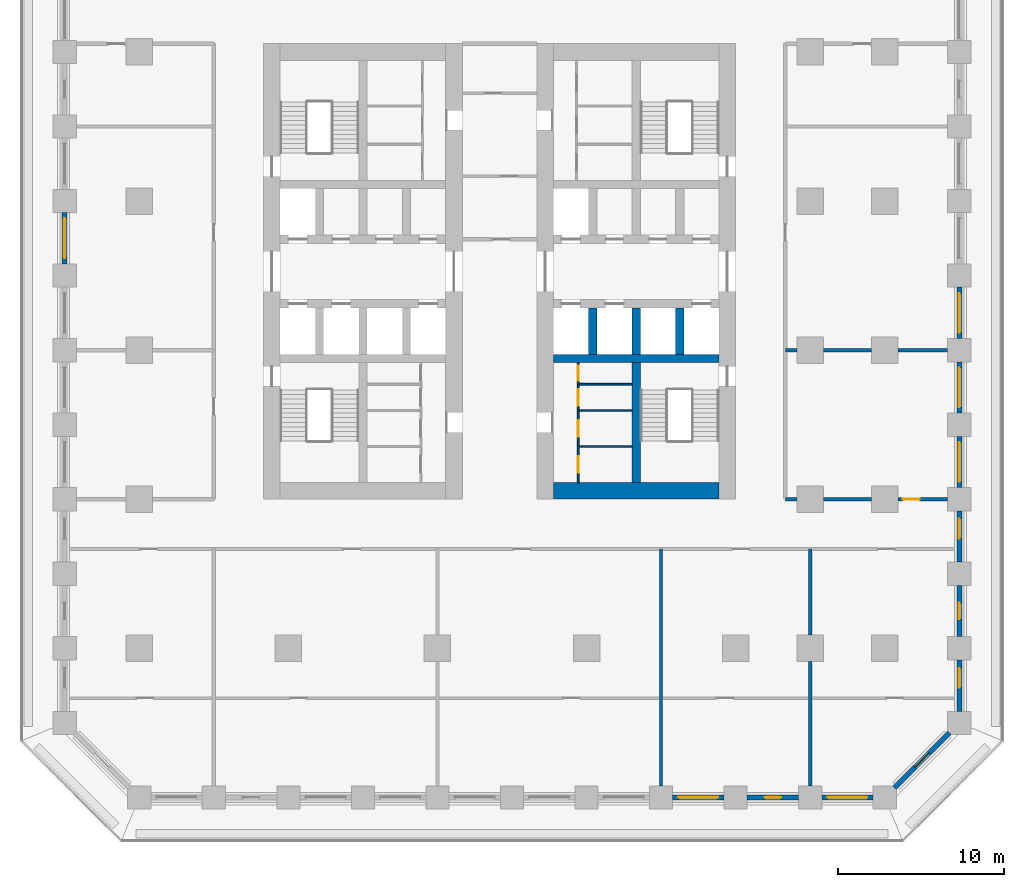
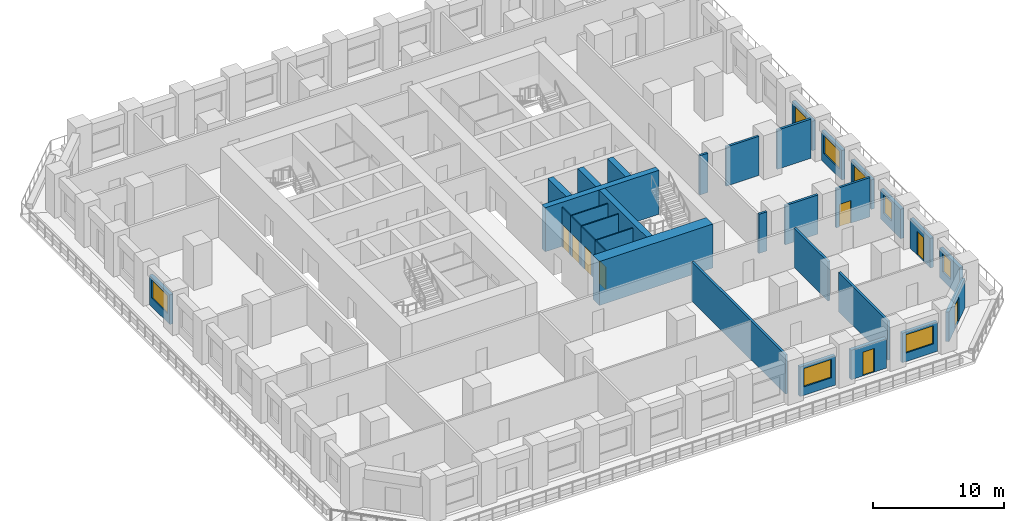
# One storey, part 4 of 11: 33 walls, 8 doors, 8 windows, 16 openings.
"""IFC4 building model written with IfcOpenShell, lengths in metres."""

from ifc_helpers import new_model, si_unit, direction, frame, frame_2d, origin, place, context, subcontext, project, spatial, rectangle, extrude, material, layer, layer_set, type_object, element, fill, save


model = new_model("IFC4")

# Units and contexts
model_context = context("Model", 3, precision=1e-05, world=origin(), true_north=direction((0.0, 1.0)))
body_context = subcontext(model_context, "Body", "Model", "MODEL_VIEW")
ifc_project = project(units=[si_unit("LENGTHUNIT", "METRE"), si_unit("AREAUNIT", "SQUARE_METRE"), si_unit("VOLUMEUNIT", "CUBIC_METRE"), si_unit("PLANEANGLEUNIT", "RADIAN"), si_unit("MASSUNIT", "GRAM", prefix="KILO")], contexts=[model_context])

# Site, building, storey
site_placement = place(None, origin())
site = spatial("IfcSite", under=ifc_project, at=site_placement, CompositionType="ELEMENT")
building_placement = place(site_placement, origin())
building = spatial("IfcBuilding", under=site, at=building_placement, Name="Corbel Stack Research Tower", CompositionType="ELEMENT")
storey_placement = place(building_placement, frame((0.0, 0.0, 54.199951171875)))
storey = spatial("IfcBuildingStorey", under=building, at=storey_placement, Name="L12", CompositionType="ELEMENT", Elevation=54.199951171875)

# Walls
ifc_material_1 = material(Name="Concrete C70/85", Category="concrete")
ifc_layer_1 = layer(ifc_material_1, 1.0)
ifc_layer_set_1 = layer_set([ifc_layer_1], Name="Concrete C70/85")
wall_type_1 = type_object("IfcWallType", Name="CW-1000-70", PredefinedType="SHEAR", material=ifc_layer_set_1)
wall_1_placement = place(storey_placement, frame((7.0, -8.5, 0.0), z_axis=(0.0, 0.0, 1.0), x_axis=(1.0, 0.0, 0.0)))
element("IfcWall", 1, at=wall_1_placement, inside=storey, type_object=wall_type_1, Name="East core wall, south end L12", PredefinedType="SHEAR", context=body_context, shape_type="SweptSolid", body=[
    extrude(rectangle(XDim=10.0, YDim=1.0, at=frame_2d((5.0, 0.0))), origin(), (0.0, 0.0, 1.0), 4.10009765625),
])
ifc_material_2 = material(Name="Concrete C70/85", Category="concrete")
ifc_layer_2 = layer(ifc_material_2, 0.5)
ifc_layer_set_2 = layer_set([ifc_layer_2], Name="Concrete C70/85")
wall_type_2 = type_object("IfcWallType", Name="CW-500-70", PredefinedType="SHEAR", material=ifc_layer_set_2)
wall_2_placement = place(storey_placement, frame((7.0, -0.5, 0.0), z_axis=(0.0, 0.0, 1.0), x_axis=(1.0, 0.0, 0.0)))
element("IfcWall", 2, at=wall_2_placement, inside=storey, type_object=wall_type_2, Name="East core wall, south row back L12", PredefinedType="SHEAR", context=body_context, shape_type="SweptSolid", body=[
    extrude(rectangle(XDim=10.0, YDim=0.5, at=frame_2d((5.0, 0.0))), origin(), (0.0, 0.0, 1.0), 4.10009765625),
])
for number, where, z_axis, x_axis, name in (
    (3, (9.375, -0.25, 0.0), (0.0, 0.0, 1.0), (0.0, 1.0, 0.0), "East core wall, south shaft 1 L12"),
    (4, (12.0, -0.25, 0.0), (0.0, 0.0, 1.0), (0.0, 1.0, 0.0), "East core wall, south shaft 2 L12"),
    (5, (14.625, -0.25, 0.0), (0.0, 0.0, 1.0), (0.0, 1.0, 0.0), "East core wall, south shaft 3 L12"),
):
    element("IfcWall", number, at=place(storey_placement, frame(where, z_axis=z_axis, x_axis=x_axis)), inside=storey, type_object=wall_type_2, Name=name, PredefinedType="SHEAR", context=body_context, shape_type="SweptSolid", body=[
        extrude(rectangle(XDim=2.800048828125, YDim=0.5, at=frame_2d((1.39990234375, 0.0))), origin(), (0.0, 0.0, 1.0), 4.10009765625),
    ])
wall_3_placement = place(storey_placement, frame((12.0, -8.0, 0.0), z_axis=(0.0, 0.0, 1.0), x_axis=(0.0, 1.0, 0.0)))
element("IfcWall", 6, at=wall_3_placement, inside=storey, type_object=wall_type_2, Name="East core wall, south stair and WC L12", PredefinedType="SHEAR", context=body_context, shape_type="SweptSolid", body=[
    extrude(rectangle(XDim=7.25, YDim=0.5, at=frame_2d((3.625, 0.0))), origin(), (0.0, 0.0, 1.0), 4.10009765625),
])

# Wall, opening, door
ifc_material_3 = material(Name="Gypsum board")
ifc_layer_3 = layer(ifc_material_3, 0.10009765625)
ifc_layer_set_3 = layer_set([ifc_layer_3], Name="Gypsum board")
wall_type_3 = type_object("IfcWallType", Name="Core partition 100", PredefinedType="PARTITIONING", material=ifc_layer_set_3)
wall_4_placement = place(storey_placement, frame((8.5, -8.0, 0.0), z_axis=(0.0, 0.0, 1.0), x_axis=(0.0, 1.0, 0.0)))
wall_4 = element("IfcWall", 7, at=wall_4_placement, inside=storey, type_object=wall_type_3, Name="Core partition E", PredefinedType="PARTITIONING", context=body_context, shape_type="SweptSolid", body=[
    extrude(rectangle(XDim=2.175048828125, YDim=0.10009765625, at=frame_2d((1.08740234375, 0.0))), origin(), (0.0, 0.0, 1.0), 3.650146484375),
])
opening_1_placement = place(wall_4_placement, frame((0.58740234375, 0.0, 0.0)))
opening_1 = element("IfcOpeningElement", 8, at=opening_1_placement, cuts=wall_4, Name="Opening CR-E42-W2-1000", PredefinedType="OPENING", context=body_context, shape_type="SweptSolid", body=[
    extrude(rectangle(XDim=1.0, YDim=2.10009765625, at=frame_2d((0.5, 1.050048828125))), frame((0.0, 0.06005859375, 0.0), z_axis=(0.0, -1.0, 0.0), x_axis=(1.0, 0.0, 0.0)), (0.0, 0.0, 1.0), 0.1201171875),
])
ifc_material_4 = material(Name="Painted timber door", Category="wood")
door_type_1 = type_object("IfcDoorType", Name="WC door 1000 x 2100 left hand", OperationType="SINGLE_SWING_LEFT", PredefinedType="DOOR", material=ifc_material_4)
door_1_placement = place(opening_1_placement, origin())
door_1 = element("IfcDoor", 9, at=door_1_placement, inside=storey, type_object=door_type_1, Name="Men's WC door E core", OperationType="SINGLE_SWING_LEFT", OverallHeight=2.10009765625, OverallWidth=1.0, PredefinedType="DOOR", context=body_context, shape_type="SweptSolid", body=[
    extrude(rectangle(XDim=1.0, YDim=2.10009765625, at=frame_2d((0.5, 1.050048828125))), frame((0.0, 0.02490234375, 0.0), z_axis=(0.0, -1.0, 0.0), x_axis=(1.0, 0.0, 0.0)), (0.0, 0.0, 1.0), 0.050048828125),
])
fill(opening_1, door_1)

wall_5_placement = place(storey_placement, frame((8.5, -5.824951171875, 0.0), z_axis=(0.0, 0.0, 1.0), x_axis=(0.0, 1.0, 0.0)))
wall_5 = element("IfcWall", 10, at=wall_5_placement, inside=storey, type_object=wall_type_3, Name="Core partition E", PredefinedType="PARTITIONING", context=body_context, shape_type="SweptSolid", body=[
    extrude(rectangle(XDim=2.175048828125, YDim=0.10009765625, at=frame_2d((1.08740234375, 0.0))), origin(), (0.0, 0.0, 1.0), 3.650146484375),
])
opening_2_placement = place(wall_5_placement, frame((0.58740234375, 0.0, 0.0)))
opening_2 = element("IfcOpeningElement", 11, at=opening_2_placement, cuts=wall_5, Name="Opening CR-E42-W3-1000", PredefinedType="OPENING", context=body_context, shape_type="SweptSolid", body=[
    extrude(rectangle(XDim=1.0, YDim=2.10009765625, at=frame_2d((0.5, 1.050048828125))), frame((0.0, 0.06005859375, 0.0), z_axis=(0.0, -1.0, 0.0), x_axis=(1.0, 0.0, 0.0)), (0.0, 0.0, 1.0), 0.1201171875),
])
ifc_material_5 = material(Name="Painted timber door", Category="wood")
door_type_2 = type_object("IfcDoorType", Name="WC door 1000 x 2100 right hand", OperationType="SINGLE_SWING_RIGHT", PredefinedType="DOOR", material=ifc_material_5)
door_2_placement = place(opening_2_placement, origin())
door_2 = element("IfcDoor", 12, at=door_2_placement, inside=storey, type_object=door_type_2, Name="Women's WC door E core", OperationType="SINGLE_SWING_RIGHT", OverallHeight=2.10009765625, OverallWidth=1.0, PredefinedType="DOOR", context=body_context, shape_type="SweptSolid", body=[
    extrude(rectangle(XDim=1.0, YDim=2.10009765625, at=frame_2d((0.5, 1.050048828125))), frame((0.0, 0.02490234375, 0.0), z_axis=(0.0, -1.0, 0.0), x_axis=(1.0, 0.0, 0.0)), (0.0, 0.0, 1.0), 0.050048828125),
])
fill(opening_2, door_2)

wall_6_placement = place(storey_placement, frame((8.5, -3.64990234375, 0.0), z_axis=(0.0, 0.0, 1.0), x_axis=(0.0, 1.0, 0.0)))
wall_6 = element("IfcWall", 13, at=wall_6_placement, inside=storey, type_object=wall_type_3, Name="Core partition E", PredefinedType="PARTITIONING", context=body_context, shape_type="SweptSolid", body=[
    extrude(rectangle(XDim=1.594970703125, YDim=0.10009765625, at=frame_2d((0.79736328125, 0.0))), origin(), (0.0, 0.0, 1.0), 3.650146484375),
])
opening_3_placement = place(wall_6_placement, frame((0.297607421875, 0.0, 0.0)))
opening_3 = element("IfcOpeningElement", 14, at=opening_3_placement, cuts=wall_6, Name="Opening CR-E42-W4-1000", PredefinedType="OPENING", context=body_context, shape_type="SweptSolid", body=[
    extrude(rectangle(XDim=1.0, YDim=2.10009765625, at=frame_2d((0.5, 1.050048828125))), frame((0.0, 0.06005859375, 0.0), z_axis=(0.0, -1.0, 0.0), x_axis=(1.0, 0.0, 0.0)), (0.0, 0.0, 1.0), 0.1201171875),
])
door_3_placement = place(opening_3_placement, origin())
door_3 = element("IfcDoor", 15, at=door_3_placement, inside=storey, type_object=door_type_1, Name="Accessible WC door E core", OperationType="SINGLE_SWING_LEFT", OverallHeight=2.10009765625, OverallWidth=1.0, PredefinedType="DOOR", context=body_context, shape_type="SweptSolid", body=[
    extrude(rectangle(XDim=1.0, YDim=2.10009765625, at=frame_2d((0.5, 1.050048828125))), frame((0.0, 0.02490234375, 0.0), z_axis=(0.0, -1.0, 0.0), x_axis=(1.0, 0.0, 0.0)), (0.0, 0.0, 1.0), 0.050048828125),
])
fill(opening_3, door_3)

wall_7_placement = place(storey_placement, frame((8.5, -2.054931640625, 0.0), z_axis=(0.0, 0.0, 1.0), x_axis=(0.0, 1.0, 0.0)))
wall_7 = element("IfcWall", 16, at=wall_7_placement, inside=storey, type_object=wall_type_3, Name="Core partition E", PredefinedType="PARTITIONING", context=body_context, shape_type="SweptSolid", body=[
    extrude(rectangle(XDim=1.304931640625, YDim=0.10009765625, at=frame_2d((0.65234375, 0.0))), origin(), (0.0, 0.0, 1.0), 3.650146484375),
])
opening_4_placement = place(wall_7_placement, frame((0.199951171875, 0.0, 0.0)))
opening_4 = element("IfcOpeningElement", 17, at=opening_4_placement, cuts=wall_7, Name="Opening CR-E42-W5-905", PredefinedType="OPENING", context=body_context, shape_type="SweptSolid", body=[
    extrude(rectangle(XDim=0.905029296875, YDim=2.10009765625, at=frame_2d((0.45263671875, 1.050048828125))), frame((0.0, 0.06005859375, 0.0), z_axis=(0.0, -1.0, 0.0), x_axis=(1.0, 0.0, 0.0)), (0.0, 0.0, 1.0), 0.1201171875),
])
ifc_material_6 = material(Name="Painted steel door", Category="steel")
door_type_3 = type_object("IfcDoorType", Name="Service door 905 x 2100 FD30 right hand", OperationType="SINGLE_SWING_RIGHT", PredefinedType="DOOR", material=ifc_material_6)
door_4_placement = place(opening_4_placement, origin())
door_4 = element("IfcDoor", 18, at=door_4_placement, inside=storey, type_object=door_type_3, Name="Cleaner's store door E core", OperationType="SINGLE_SWING_RIGHT", OverallHeight=2.10009765625, OverallWidth=0.905029296875, PredefinedType="DOOR", context=body_context, shape_type="SweptSolid", body=[
    extrude(rectangle(XDim=0.905029296875, YDim=2.10009765625, at=frame_2d((0.45263671875, 1.050048828125))), frame((0.0, 0.02490234375, 0.0), z_axis=(0.0, -1.0, 0.0), x_axis=(1.0, 0.0, 0.0)), (0.0, 0.0, 1.0), 0.050048828125),
])
fill(opening_4, door_4)

# Walls
for number, where, z_axis, x_axis, name in (
    (19, (8.5, -5.824951171875, 0.0), (0.0, 0.0, 1.0), (1.0, 0.0, 0.0), "Core partition E"),
    (20, (8.5, -3.64990234375, 0.0), (0.0, 0.0, 1.0), (1.0, 0.0, 0.0), "Core partition E"),
    (21, (8.5, -2.054931640625, 0.0), (0.0, 0.0, 1.0), (1.0, 0.0, 0.0), "Core partition E"),
):
    element("IfcWall", number, at=place(storey_placement, frame(where, z_axis=z_axis, x_axis=x_axis)), inside=storey, type_object=wall_type_3, Name=name, PredefinedType="PARTITIONING", context=body_context, shape_type="SweptSolid", body=[
        extrude(rectangle(XDim=3.25, YDim=0.10009765625, at=frame_2d((1.625, 0.0))), origin(), (0.0, 0.0, 1.0), 3.650146484375),
    ])
ifc_material_7 = material(Name="Fire-rated gypsum board partition on steel studs", Category="steel")
ifc_layer_4 = layer(ifc_material_7, 0.199951171875)
ifc_layer_set_4 = layer_set([ifc_layer_4], Name="Fire-rated gypsum board partition on steel studs")
wall_type_4 = type_object("IfcWallType", Name="Fire-rated partition 200 EI 60", PredefinedType="PARTITIONING", material=ifc_layer_set_4)
wall_8_placement = place(storey_placement, frame((13.5, -26.300048828125, 0.0), z_axis=(0.0, 0.0, 1.0), x_axis=(0.0, 1.0, 0.0)))
element("IfcWall", 22, at=wall_8_placement, inside=storey, type_object=wall_type_4, Name="Partition L12-007", PredefinedType="PARTITIONING", context=body_context, shape_type="SweptSolid", body=[
    extrude(rectangle(XDim=14.300048828125, YDim=0.199951171875, at=frame_2d((7.14990234375, 0.0))), origin(), (0.0, 0.0, 1.0), 3.650146484375),
])
wall_9_placement = place(storey_placement, frame((22.5, -26.300048828125, 0.0), z_axis=(0.0, 0.0, 1.0), x_axis=(0.0, 1.0, 0.0)))
element("IfcWall", 23, at=wall_9_placement, inside=storey, type_object=wall_type_4, Name="Partition L12-010", PredefinedType="PARTITIONING", context=body_context, shape_type="SweptSolid", body=[
    extrude(rectangle(XDim=7.5, YDim=0.199951171875, at=frame_2d((3.75, 0.0))), origin(), (0.0, 0.0, 1.0), 3.650146484375),
])
wall_10_placement = place(storey_placement, frame((22.5, -17.199951171875, 0.0), z_axis=(0.0, 0.0, 1.0), x_axis=(0.0, 1.0, 0.0)))
element("IfcWall", 24, at=wall_10_placement, inside=storey, type_object=wall_type_4, Name="Partition L12-011", PredefinedType="PARTITIONING", context=body_context, shape_type="SweptSolid", body=[
    extrude(rectangle(XDim=5.199951171875, YDim=0.199951171875, at=frame_2d((2.60009765625, 0.0))), origin(), (0.0, 0.0, 1.0), 3.650146484375),
])
wall_11_placement = place(storey_placement, frame((21.0, -9.0, 0.0), z_axis=(0.0, 0.0, 1.0), x_axis=(1.0, 0.0, 0.0)))
element("IfcWall", 25, at=wall_11_placement, inside=storey, type_object=wall_type_4, Name="Partition L12-017", PredefinedType="PARTITIONING", context=body_context, shape_type="SweptSolid", body=[
    extrude(rectangle(XDim=0.699951171875, YDim=0.199951171875, at=frame_2d((0.35009765625, 0.0))), origin(), (0.0, 0.0, 1.0), 3.650146484375),
])
wall_12_placement = place(storey_placement, frame((23.300048828125, -9.0, 0.0), z_axis=(0.0, 0.0, 1.0), x_axis=(1.0, 0.0, 0.0)))
element("IfcWall", 26, at=wall_12_placement, inside=storey, type_object=wall_type_4, Name="Partition L12-018", PredefinedType="PARTITIONING", context=body_context, shape_type="SweptSolid", body=[
    extrude(rectangle(XDim=2.89990234375, YDim=0.199951171875, at=frame_2d((1.449951171875, 0.0))), origin(), (0.0, 0.0, 1.0), 3.650146484375),
])

# Wall, opening, door
wall_13_placement = place(storey_placement, frame((27.800048828125, -9.0, 0.0), z_axis=(0.0, 0.0, 1.0), x_axis=(1.0, 0.0, 0.0)))
wall_13 = element("IfcWall", 27, at=wall_13_placement, inside=storey, type_object=wall_type_4, Name="Partition L12-019", PredefinedType="PARTITIONING", context=body_context, shape_type="SweptSolid", body=[
    extrude(rectangle(XDim=3.0, YDim=0.199951171875, at=frame_2d((1.5, 0.0))), origin(), (0.0, 0.0, 1.0), 3.650146484375),
])
opening_5_placement = place(wall_13_placement, frame((0.300048828125, 0.0, 0.0)))
opening_5 = element("IfcOpeningElement", 28, at=opening_5_placement, cuts=wall_13, Name="Opening B2V1-013", PredefinedType="OPENING", context=body_context, shape_type="SweptSolid", body=[
    extrude(rectangle(XDim=1.0, YDim=2.10009765625, at=frame_2d((0.5, 1.050048828125))), frame((0.0, 0.10986328125, 0.0), z_axis=(0.0, -1.0, 0.0), x_axis=(1.0, 0.0, 0.0)), (0.0, 0.0, 1.0), 0.219970703125),
])
ifc_material_8 = material(Name="Painted steel fire door", Category="steel")
door_type_4 = type_object("IfcDoorType", Name="Fire door FD30S 1000 x 2100", OperationType="NOTDEFINED", PredefinedType="DOOR", material=ifc_material_8)
door_5_placement = place(opening_5_placement, origin())
door_5 = element("IfcDoor", 29, at=door_5_placement, inside=storey, type_object=door_type_4, Name="Door B2V1-013", OperationType="SINGLE_SWING_LEFT", OverallHeight=2.10009765625, OverallWidth=1.0, PredefinedType="DOOR", context=body_context, shape_type="SweptSolid", body=[
    extrude(rectangle(XDim=1.0, YDim=2.10009765625, at=frame_2d((0.5, 1.050048828125))), frame((0.0, 0.02490234375, 0.0), z_axis=(0.0, -1.0, 0.0), x_axis=(1.0, 0.0, 0.0)), (0.0, 0.0, 1.0), 0.050048828125),
])
fill(opening_5, door_5)

# Walls
wall_14_placement = place(storey_placement, frame((21.0, 0.0, 0.0), z_axis=(0.0, 0.0, 1.0), x_axis=(1.0, 0.0, 0.0)))
element("IfcWall", 30, at=wall_14_placement, inside=storey, type_object=wall_type_4, Name="Partition L12-022", PredefinedType="PARTITIONING", context=body_context, shape_type="SweptSolid", body=[
    extrude(rectangle(XDim=0.699951171875, YDim=0.199951171875, at=frame_2d((0.35009765625, 0.0))), origin(), (0.0, 0.0, 1.0), 3.650146484375),
])
wall_15_placement = place(storey_placement, frame((23.300048828125, 0.0, 0.0), z_axis=(0.0, 0.0, 1.0), x_axis=(1.0, 0.0, 0.0)))
element("IfcWall", 31, at=wall_15_placement, inside=storey, type_object=wall_type_4, Name="Partition L12-023", PredefinedType="PARTITIONING", context=body_context, shape_type="SweptSolid", body=[
    extrude(rectangle(XDim=2.89990234375, YDim=0.199951171875, at=frame_2d((1.449951171875, 0.0))), origin(), (0.0, 0.0, 1.0), 3.650146484375),
])
wall_16_placement = place(storey_placement, frame((27.800048828125, 0.0, 0.0), z_axis=(0.0, 0.0, 1.0), x_axis=(1.0, 0.0, 0.0)))
element("IfcWall", 32, at=wall_16_placement, inside=storey, type_object=wall_type_4, Name="Partition L12-024", PredefinedType="PARTITIONING", context=body_context, shape_type="SweptSolid", body=[
    extrude(rectangle(XDim=3.0, YDim=0.199951171875, at=frame_2d((1.5, 0.0))), origin(), (0.0, 0.0, 1.0), 3.650146484375),
])

# Wall, opening, window
ifc_material_9 = material(Name="Concrete C45/55", Category="concrete")
ifc_layer_5 = layer(ifc_material_9, 0.300048828125)
ifc_layer_set_5 = layer_set([ifc_layer_5], Name="Concrete C45/55")
wall_type_5 = type_object("IfcWallType", Name="Terracotta-faced concrete wall 300", PredefinedType="SOLIDWALL", material=ifc_layer_set_5)
wall_17_placement = place(storey_placement, frame((17.300048828125, -27.0, 0.0), z_axis=(0.0, 0.0, 1.0), x_axis=(-1.0, 0.0, 0.0)))
wall_17 = element("IfcWall", 33, at=wall_17_placement, inside=storey, type_object=wall_type_5, Name="Facade wall L12 S08", PredefinedType="SOLIDWALL", context=body_context, shape_type="SweptSolid", body=[
    extrude(rectangle(XDim=3.10009765625, YDim=0.300048828125, at=frame_2d((1.550048828125, 0.0))), origin(), (0.0, 0.0, 1.0), 2.75),
])
opening_6_placement = place(wall_17_placement, frame((0.35009765625, 0.0, 0.800048828125)))
opening_6 = element("IfcOpeningElement", 34, at=opening_6_placement, cuts=wall_17, Name="Opening W1", PredefinedType="OPENING", context=body_context, shape_type="SweptSolid", body=[
    extrude(rectangle(XDim=2.39990234375, YDim=1.699951171875, at=frame_2d((1.199951171875, 0.85009765625))), frame((0.0, 0.159912109375, 0.0), z_axis=(0.0, -1.0, 0.0), x_axis=(1.0, 0.0, 0.0)), (0.0, 0.0, 1.0), 0.320068359375),
])
ifc_material_10 = material(Name="Aluminium frame, clear double glazing", Category="aluminium")
window_type_1 = type_object("IfcWindowType", Name="Window W1 2400 x 1700", PartitioningType="SINGLE_PANEL", PredefinedType="WINDOW", material=ifc_material_10)
window_1_placement = place(opening_6_placement, origin())
window_1 = element("IfcWindow", 35, at=window_1_placement, inside=storey, type_object=window_type_1, Name="Window W1 L12 S08", OverallHeight=1.699951171875, OverallWidth=2.39990234375, PartitioningType="SINGLE_PANEL", PredefinedType="WINDOW", context=body_context, shape_type="SweptSolid", body=[
    extrude(rectangle(XDim=2.39990234375, YDim=1.699951171875, at=frame_2d((1.199951171875, 0.85009765625))), frame((0.0, 0.030029296875, 0.0), z_axis=(0.0, -1.0, 0.0), x_axis=(1.0, 0.0, 0.0)), (0.0, 0.0, 1.0), 0.06005859375),
])
fill(opening_6, window_1)

# Wall, opening, door
wall_18_placement = place(storey_placement, frame((21.800048828125, -27.0, 0.0), z_axis=(0.0, 0.0, 1.0), x_axis=(-1.0, 0.0, 0.0)))
wall_18 = element("IfcWall", 36, at=wall_18_placement, inside=storey, type_object=wall_type_5, Name="Facade wall L12 S09", PredefinedType="SOLIDWALL", context=body_context, shape_type="SweptSolid", body=[
    extrude(rectangle(XDim=3.10009765625, YDim=0.300048828125, at=frame_2d((1.550048828125, 0.0))), origin(), (0.0, 0.0, 1.0), 2.75),
])
opening_7_placement = place(wall_18_placement, frame((1.050048828125, 0.0, 0.0)))
opening_7 = element("IfcOpeningElement", 37, at=opening_7_placement, cuts=wall_18, Name="Opening L12-B02", PredefinedType="OPENING", context=body_context, shape_type="SweptSolid", body=[
    extrude(rectangle(XDim=1.0, YDim=2.199951171875, at=frame_2d((0.5, 1.10009765625))), frame((0.0, 0.159912109375, 0.0), z_axis=(0.0, -1.0, 0.0), x_axis=(1.0, 0.0, 0.0)), (0.0, 0.0, 1.0), 0.320068359375),
])
ifc_material_11 = material(Name="Aluminium frame, clear double glazing", Category="aluminium")
door_type_5 = type_object("IfcDoorType", Name="Balcony door BD1 1000 x 2200", OperationType="NOTDEFINED", PredefinedType="DOOR", material=ifc_material_11)
door_6_placement = place(opening_7_placement, origin())
door_6 = element("IfcDoor", 38, at=door_6_placement, inside=storey, type_object=door_type_5, Name="Balcony door L12-B02", OperationType="SINGLE_SWING_LEFT", OverallHeight=2.199951171875, OverallWidth=1.0, PredefinedType="DOOR", context=body_context, shape_type="SweptSolid", body=[
    extrude(rectangle(XDim=1.0, YDim=2.199951171875, at=frame_2d((0.5, 1.10009765625))), frame((0.0, 0.02490234375, 0.0), z_axis=(0.0, -1.0, 0.0), x_axis=(1.0, 0.0, 0.0)), (0.0, 0.0, 1.0), 0.050048828125),
])
fill(opening_7, door_6)

# Wall, opening, window
wall_19_placement = place(storey_placement, frame((26.300048828125, -27.0, 0.0), z_axis=(0.0, 0.0, 1.0), x_axis=(-1.0, 0.0, 0.0)))
wall_19 = element("IfcWall", 39, at=wall_19_placement, inside=storey, type_object=wall_type_5, Name="Facade wall L12 S10", PredefinedType="SOLIDWALL", context=body_context, shape_type="SweptSolid", body=[
    extrude(rectangle(XDim=3.10009765625, YDim=0.300048828125, at=frame_2d((1.550048828125, 0.0))), origin(), (0.0, 0.0, 1.0), 2.75),
])
opening_8_placement = place(wall_19_placement, frame((0.35009765625, 0.0, 0.800048828125)))
opening_8 = element("IfcOpeningElement", 40, at=opening_8_placement, cuts=wall_19, Name="Opening W1", PredefinedType="OPENING", context=body_context, shape_type="SweptSolid", body=[
    extrude(rectangle(XDim=2.39990234375, YDim=1.699951171875, at=frame_2d((1.199951171875, 0.85009765625))), frame((0.0, 0.159912109375, 0.0), z_axis=(0.0, -1.0, 0.0), x_axis=(1.0, 0.0, 0.0)), (0.0, 0.0, 1.0), 0.320068359375),
])
window_2_placement = place(opening_8_placement, origin())
window_2 = element("IfcWindow", 41, at=window_2_placement, inside=storey, type_object=window_type_1, Name="Window W1 L12 S10", OverallHeight=1.699951171875, OverallWidth=2.39990234375, PartitioningType="SINGLE_PANEL", PredefinedType="WINDOW", context=body_context, shape_type="SweptSolid", body=[
    extrude(rectangle(XDim=2.39990234375, YDim=1.699951171875, at=frame_2d((1.199951171875, 0.85009765625))), frame((0.0, 0.030029296875, 0.0), z_axis=(0.0, -1.0, 0.0), x_axis=(1.0, 0.0, 0.0)), (0.0, 0.0, 1.0), 0.06005859375),
])
fill(opening_8, window_2)

# Wall, opening, door
wall_20_placement = place(storey_placement, frame((30.906005859375, -23.093994140625, 0.0), z_axis=(0.0, 0.0, 1.0), x_axis=(-0.707106781187, -0.707106781187, 0.0)))
wall_20 = element("IfcWall", 42, at=wall_20_placement, inside=storey, type_object=wall_type_5, Name="Facade wall L12 SE01", PredefinedType="SOLIDWALL", context=body_context, shape_type="SweptSolid", body=[
    extrude(rectangle(XDim=4.683837890625, YDim=0.300048828125, at=frame_2d((2.341796875, 0.0))), origin(), (0.0, 0.0, 1.0), 2.75),
])
opening_9_placement = place(wall_20_placement, frame((1.741943359375, 0.0, 0.0)))
opening_9 = element("IfcOpeningElement", 43, at=opening_9_placement, cuts=wall_20, Name="Opening L12-B03", PredefinedType="OPENING", context=body_context, shape_type="SweptSolid", body=[
    extrude(rectangle(XDim=1.199951171875, YDim=2.199951171875, at=frame_2d((0.60009765625, 1.10009765625))), frame((0.0, 0.159912109375, 0.0), z_axis=(0.0, -1.0, 0.0), x_axis=(1.0, 0.0, 0.0)), (0.0, 0.0, 1.0), 0.320068359375),
])
ifc_material_12 = material(Name="Aluminium frame, clear double glazing", Category="aluminium")
door_type_6 = type_object("IfcDoorType", Name="Balcony door BD2 1200 x 2200", OperationType="NOTDEFINED", PredefinedType="DOOR", material=ifc_material_12)
door_7_placement = place(opening_9_placement, origin())
door_7 = element("IfcDoor", 44, at=door_7_placement, inside=storey, type_object=door_type_6, Name="Balcony door L12-B03", OperationType="SINGLE_SWING_LEFT", OverallHeight=2.199951171875, OverallWidth=1.199951171875, PredefinedType="DOOR", context=body_context, shape_type="SweptSolid", body=[
    extrude(rectangle(XDim=1.199951171875, YDim=2.199951171875, at=frame_2d((0.60009765625, 1.10009765625))), frame((0.0, 0.02490234375, 0.0), z_axis=(0.0, -1.0, 0.0), x_axis=(1.0, 0.0, 0.0)), (0.0, 0.0, 1.0), 0.050048828125),
])
fill(opening_9, door_7)

# Wall, opening, window
wall_21_placement = place(storey_placement, frame((31.5, -18.699951171875, 0.0), z_axis=(0.0, 0.0, 1.0), x_axis=(0.0, -1.0, 0.0)))
wall_21 = element("IfcWall", 45, at=wall_21_placement, inside=storey, type_object=wall_type_5, Name="Facade wall L12 E01", PredefinedType="SOLIDWALL", context=body_context, shape_type="SweptSolid", body=[
    extrude(rectangle(XDim=3.10009765625, YDim=0.300048828125, at=frame_2d((1.550048828125, 0.0))), origin(), (0.0, 0.0, 1.0), 2.75),
])
opening_10_placement = place(wall_21_placement, frame((0.487548828125, 0.0, 0.800048828125)))
opening_10 = element("IfcOpeningElement", 46, at=opening_10_placement, cuts=wall_21, Name="Opening W2", PredefinedType="OPENING", context=body_context, shape_type="SweptSolid", body=[
    extrude(rectangle(XDim=1.199951171875, YDim=1.699951171875, at=frame_2d((0.60009765625, 0.85009765625))), frame((0.0, 0.159912109375, 0.0), z_axis=(0.0, -1.0, 0.0), x_axis=(1.0, 0.0, 0.0)), (0.0, 0.0, 1.0), 0.320068359375),
])
ifc_material_13 = material(Name="Aluminium frame, clear double glazing", Category="aluminium")
window_type_2 = type_object("IfcWindowType", Name="Window W2 1200 x 1700", PartitioningType="SINGLE_PANEL", PredefinedType="WINDOW", material=ifc_material_13)
window_3_placement = place(opening_10_placement, origin())
window_3 = element("IfcWindow", 47, at=window_3_placement, inside=storey, type_object=window_type_2, Name="Window W2 L12 E01", OverallHeight=1.699951171875, OverallWidth=1.199951171875, PartitioningType="SINGLE_PANEL", PredefinedType="WINDOW", context=body_context, shape_type="SweptSolid", body=[
    extrude(rectangle(XDim=1.199951171875, YDim=1.699951171875, at=frame_2d((0.60009765625, 0.85009765625))), frame((0.0, 0.030029296875, 0.0), z_axis=(0.0, -1.0, 0.0), x_axis=(1.0, 0.0, 0.0)), (0.0, 0.0, 1.0), 0.06005859375),
])
fill(opening_10, window_3)

# Wall, opening, door
wall_22_placement = place(storey_placement, frame((31.5, -14.199951171875, 0.0), z_axis=(0.0, 0.0, 1.0), x_axis=(0.0, -1.0, 0.0)))
wall_22 = element("IfcWall", 48, at=wall_22_placement, inside=storey, type_object=wall_type_5, Name="Facade wall L12 E02", PredefinedType="SOLIDWALL", context=body_context, shape_type="SweptSolid", body=[
    extrude(rectangle(XDim=3.10009765625, YDim=0.300048828125, at=frame_2d((1.550048828125, 0.0))), origin(), (0.0, 0.0, 1.0), 2.75),
])
opening_11_placement = place(wall_22_placement, frame((1.050048828125, 0.0, 0.0)))
opening_11 = element("IfcOpeningElement", 49, at=opening_11_placement, cuts=wall_22, Name="Opening L12-B04", PredefinedType="OPENING", context=body_context, shape_type="SweptSolid", body=[
    extrude(rectangle(XDim=1.0, YDim=2.199951171875, at=frame_2d((0.5, 1.10009765625))), frame((0.0, 0.159912109375, 0.0), z_axis=(0.0, -1.0, 0.0), x_axis=(1.0, 0.0, 0.0)), (0.0, 0.0, 1.0), 0.320068359375),
])
door_8_placement = place(opening_11_placement, origin())
door_8 = element("IfcDoor", 50, at=door_8_placement, inside=storey, type_object=door_type_5, Name="Balcony door L12-B04", OperationType="SINGLE_SWING_RIGHT", OverallHeight=2.199951171875, OverallWidth=1.0, PredefinedType="DOOR", context=body_context, shape_type="SweptSolid", body=[
    extrude(rectangle(XDim=1.0, YDim=2.199951171875, at=frame_2d((0.5, 1.10009765625))), frame((0.0, 0.02490234375, 0.0), z_axis=(0.0, -1.0, 0.0), x_axis=(1.0, 0.0, 0.0)), (0.0, 0.0, 1.0), 0.050048828125),
])
fill(opening_11, door_8)

# Wall, opening, window
wall_23_placement = place(storey_placement, frame((31.5, -9.699951171875, 0.0), z_axis=(0.0, 0.0, 1.0), x_axis=(0.0, -1.0, 0.0)))
wall_23 = element("IfcWall", 51, at=wall_23_placement, inside=storey, type_object=wall_type_5, Name="Facade wall L12 E03", PredefinedType="SOLIDWALL", context=body_context, shape_type="SweptSolid", body=[
    extrude(rectangle(XDim=3.10009765625, YDim=0.300048828125, at=frame_2d((1.550048828125, 0.0))), origin(), (0.0, 0.0, 1.0), 2.75),
])
opening_12_placement = place(wall_23_placement, frame((0.47509765625, 0.0, 0.800048828125)))
opening_12 = element("IfcOpeningElement", 52, at=opening_12_placement, cuts=wall_23, Name="Opening W2", PredefinedType="OPENING", context=body_context, shape_type="SweptSolid", body=[
    extrude(rectangle(XDim=1.199951171875, YDim=1.699951171875, at=frame_2d((0.60009765625, 0.85009765625))), frame((0.0, 0.159912109375, 0.0), z_axis=(0.0, -1.0, 0.0), x_axis=(1.0, 0.0, 0.0)), (0.0, 0.0, 1.0), 0.320068359375),
])
window_4_placement = place(opening_12_placement, origin())
window_4 = element("IfcWindow", 53, at=window_4_placement, inside=storey, type_object=window_type_2, Name="Window W2 L12 E03", OverallHeight=1.699951171875, OverallWidth=1.199951171875, PartitioningType="SINGLE_PANEL", PredefinedType="WINDOW", context=body_context, shape_type="SweptSolid", body=[
    extrude(rectangle(XDim=1.199951171875, YDim=1.699951171875, at=frame_2d((0.60009765625, 0.85009765625))), frame((0.0, 0.030029296875, 0.0), z_axis=(0.0, -1.0, 0.0), x_axis=(1.0, 0.0, 0.0)), (0.0, 0.0, 1.0), 0.06005859375),
])
fill(opening_12, window_4)

wall_24_placement = place(storey_placement, frame((31.5, -5.199951171875, 0.0), z_axis=(0.0, 0.0, 1.0), x_axis=(0.0, -1.0, 0.0)))
wall_24 = element("IfcWall", 54, at=wall_24_placement, inside=storey, type_object=wall_type_5, Name="Facade wall L12 E04", PredefinedType="SOLIDWALL", context=body_context, shape_type="SweptSolid", body=[
    extrude(rectangle(XDim=3.10009765625, YDim=0.300048828125, at=frame_2d((1.550048828125, 0.0))), origin(), (0.0, 0.0, 1.0), 2.75),
])
opening_13_placement = place(wall_24_placement, frame((0.35009765625, 0.0, 0.800048828125)))
opening_13 = element("IfcOpeningElement", 55, at=opening_13_placement, cuts=wall_24, Name="Opening W1", PredefinedType="OPENING", context=body_context, shape_type="SweptSolid", body=[
    extrude(rectangle(XDim=2.39990234375, YDim=1.699951171875, at=frame_2d((1.199951171875, 0.85009765625))), frame((0.0, 0.159912109375, 0.0), z_axis=(0.0, -1.0, 0.0), x_axis=(1.0, 0.0, 0.0)), (0.0, 0.0, 1.0), 0.320068359375),
])
window_5_placement = place(opening_13_placement, origin())
window_5 = element("IfcWindow", 56, at=window_5_placement, inside=storey, type_object=window_type_1, Name="Window W1 L12 E04", OverallHeight=1.699951171875, OverallWidth=2.39990234375, PartitioningType="SINGLE_PANEL", PredefinedType="WINDOW", context=body_context, shape_type="SweptSolid", body=[
    extrude(rectangle(XDim=2.39990234375, YDim=1.699951171875, at=frame_2d((1.199951171875, 0.85009765625))), frame((0.0, 0.030029296875, 0.0), z_axis=(0.0, -1.0, 0.0), x_axis=(1.0, 0.0, 0.0)), (0.0, 0.0, 1.0), 0.06005859375),
])
fill(opening_13, window_5)

wall_25_placement = place(storey_placement, frame((31.5, -0.699951171875, 0.0), z_axis=(0.0, 0.0, 1.0), x_axis=(0.0, -1.0, 0.0)))
wall_25 = element("IfcWall", 57, at=wall_25_placement, inside=storey, type_object=wall_type_5, Name="Facade wall L12 E05", PredefinedType="SOLIDWALL", context=body_context, shape_type="SweptSolid", body=[
    extrude(rectangle(XDim=3.10009765625, YDim=0.300048828125, at=frame_2d((1.550048828125, 0.0))), origin(), (0.0, 0.0, 1.0), 2.75),
])
opening_14_placement = place(wall_25_placement, frame((0.35009765625, 0.0, 0.800048828125)))
opening_14 = element("IfcOpeningElement", 58, at=opening_14_placement, cuts=wall_25, Name="Opening W1", PredefinedType="OPENING", context=body_context, shape_type="SweptSolid", body=[
    extrude(rectangle(XDim=2.39990234375, YDim=1.699951171875, at=frame_2d((1.199951171875, 0.85009765625))), frame((0.0, 0.159912109375, 0.0), z_axis=(0.0, -1.0, 0.0), x_axis=(1.0, 0.0, 0.0)), (0.0, 0.0, 1.0), 0.320068359375),
])
window_6_placement = place(opening_14_placement, origin())
window_6 = element("IfcWindow", 59, at=window_6_placement, inside=storey, type_object=window_type_1, Name="Window W1 L12 E05", OverallHeight=1.699951171875, OverallWidth=2.39990234375, PartitioningType="SINGLE_PANEL", PredefinedType="WINDOW", context=body_context, shape_type="SweptSolid", body=[
    extrude(rectangle(XDim=2.39990234375, YDim=1.699951171875, at=frame_2d((1.199951171875, 0.85009765625))), frame((0.0, 0.030029296875, 0.0), z_axis=(0.0, -1.0, 0.0), x_axis=(1.0, 0.0, 0.0)), (0.0, 0.0, 1.0), 0.06005859375),
])
fill(opening_14, window_6)

wall_26_placement = place(storey_placement, frame((31.5, 3.800048828125, 0.0), z_axis=(0.0, 0.0, 1.0), x_axis=(0.0, -1.0, 0.0)))
wall_26 = element("IfcWall", 60, at=wall_26_placement, inside=storey, type_object=wall_type_5, Name="Facade wall L12 E06", PredefinedType="SOLIDWALL", context=body_context, shape_type="SweptSolid", body=[
    extrude(rectangle(XDim=3.10009765625, YDim=0.300048828125, at=frame_2d((1.550048828125, 0.0))), origin(), (0.0, 0.0, 1.0), 2.75),
])
opening_15_placement = place(wall_26_placement, frame((0.35009765625, 0.0, 0.800048828125)))
opening_15 = element("IfcOpeningElement", 61, at=opening_15_placement, cuts=wall_26, Name="Opening W1", PredefinedType="OPENING", context=body_context, shape_type="SweptSolid", body=[
    extrude(rectangle(XDim=2.39990234375, YDim=1.699951171875, at=frame_2d((1.199951171875, 0.85009765625))), frame((0.0, 0.159912109375, 0.0), z_axis=(0.0, -1.0, 0.0), x_axis=(1.0, 0.0, 0.0)), (0.0, 0.0, 1.0), 0.320068359375),
])
window_7_placement = place(opening_15_placement, origin())
window_7 = element("IfcWindow", 62, at=window_7_placement, inside=storey, type_object=window_type_1, Name="Window W1 L12 E06", OverallHeight=1.699951171875, OverallWidth=2.39990234375, PartitioningType="SINGLE_PANEL", PredefinedType="WINDOW", context=body_context, shape_type="SweptSolid", body=[
    extrude(rectangle(XDim=2.39990234375, YDim=1.699951171875, at=frame_2d((1.199951171875, 0.85009765625))), frame((0.0, 0.030029296875, 0.0), z_axis=(0.0, -1.0, 0.0), x_axis=(1.0, 0.0, 0.0)), (0.0, 0.0, 1.0), 0.06005859375),
])
fill(opening_15, window_7)

wall_27_placement = place(storey_placement, frame((-22.5, 5.199951171875, 0.0), z_axis=(0.0, 0.0, 1.0), x_axis=(0.0, 1.0, 0.0)))
wall_27 = element("IfcWall", 63, at=wall_27_placement, inside=storey, type_object=wall_type_5, Name="Facade wall L12 W04", PredefinedType="SOLIDWALL", context=body_context, shape_type="SweptSolid", body=[
    extrude(rectangle(XDim=3.10009765625, YDim=0.300048828125, at=frame_2d((1.550048828125, 0.0))), origin(), (0.0, 0.0, 1.0), 2.75),
])
opening_16_placement = place(wall_27_placement, frame((0.35009765625, 0.0, 0.800048828125)))
opening_16 = element("IfcOpeningElement", 64, at=opening_16_placement, cuts=wall_27, Name="Opening W1", PredefinedType="OPENING", context=body_context, shape_type="SweptSolid", body=[
    extrude(rectangle(XDim=2.39990234375, YDim=1.699951171875, at=frame_2d((1.199951171875, 0.85009765625))), frame((0.0, 0.159912109375, 0.0), z_axis=(0.0, -1.0, 0.0), x_axis=(1.0, 0.0, 0.0)), (0.0, 0.0, 1.0), 0.320068359375),
])
window_8_placement = place(opening_16_placement, origin())
window_8 = element("IfcWindow", 65, at=window_8_placement, inside=storey, type_object=window_type_1, Name="Window W1 L12 W04", OverallHeight=1.699951171875, OverallWidth=2.39990234375, PartitioningType="SINGLE_PANEL", PredefinedType="WINDOW", context=body_context, shape_type="SweptSolid", body=[
    extrude(rectangle(XDim=2.39990234375, YDim=1.699951171875, at=frame_2d((1.199951171875, 0.85009765625))), frame((0.0, 0.030029296875, 0.0), z_axis=(0.0, -1.0, 0.0), x_axis=(1.0, 0.0, 0.0)), (0.0, 0.0, 1.0), 0.06005859375),
])
fill(opening_16, window_8)

save(model, "model.ifc")
